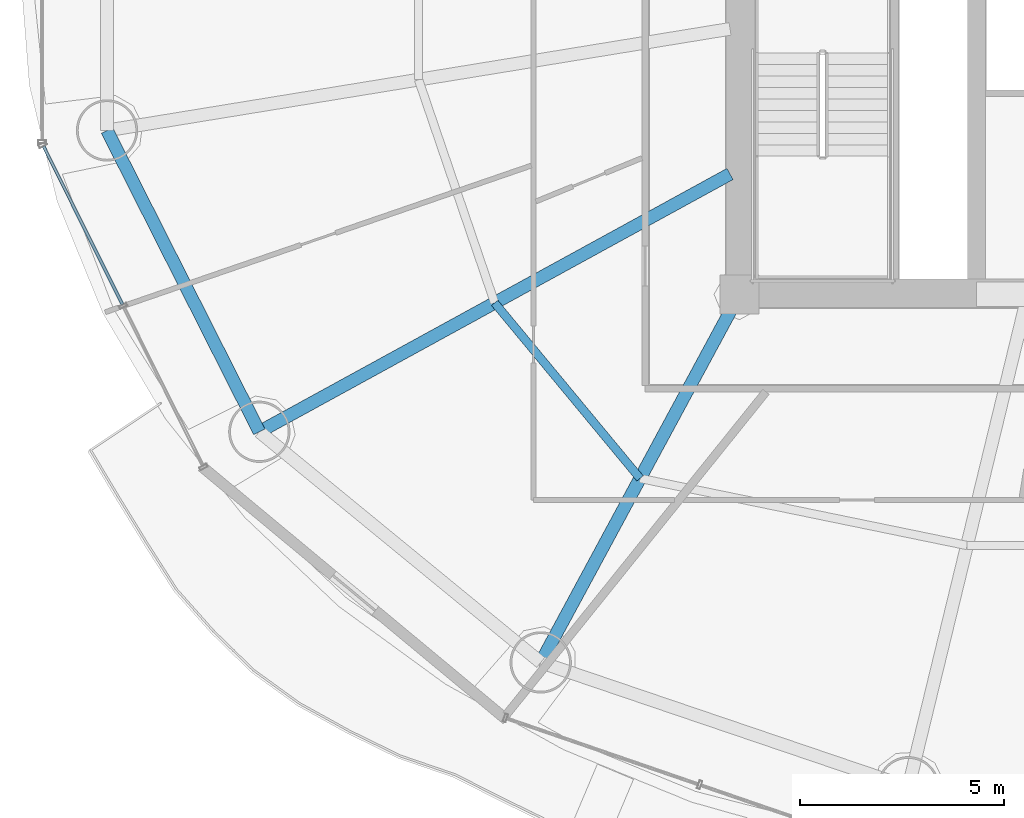
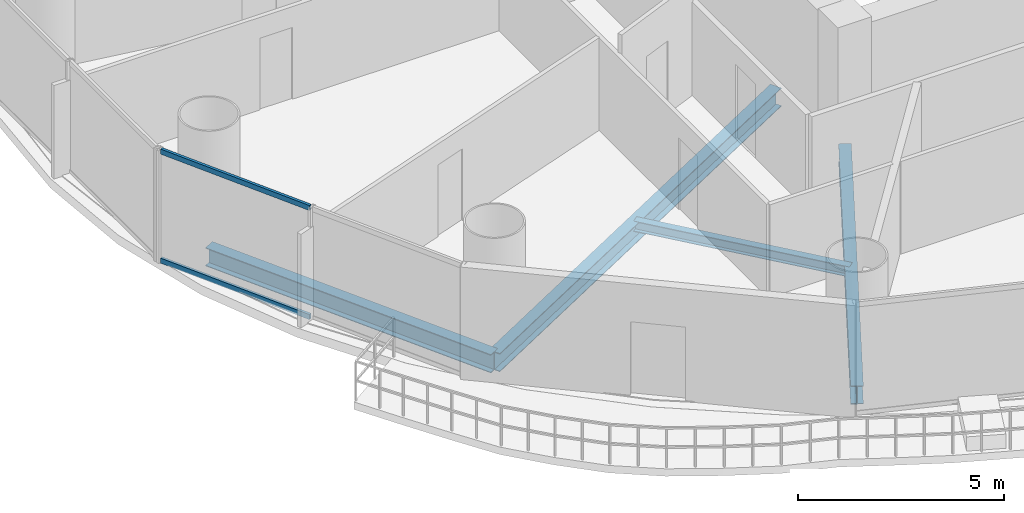
# One storey, part 3 of 29: 4 beams, 2 members, 1 element without a shape of its own.
"""IFC4 building model written with IfcOpenShell, lengths in metres."""

import ifcopenshell
import ifcopenshell.guid

model = None  # the IFC model being written
_history = None  # IfcOwnerHistory: only IFC2X3 demands one
_inside = {}  # id of a spatial element -> (the spatial element, [elements in it])
_under = {}  # id of a project, library or spatial element -> (it, [spatial elements below it])
_declared = {}  # id of a project -> (the project, [libraries it declares])
_typed = {}  # id of a type object -> (the type object, [elements of that type])
_made_of = {}  # id of a material, layer set ... -> (it, [elements and type objects made of it])


def new_model(schema):
    """Start an empty IFC model of exactly this schema.

    Asked for "IFC4X3", IfcOpenShell would pick the latest addendum, in which some entities
    have other attributes; the version numbers below select the first issue.
    IFC2X3 requires an IfcOwnerHistory on every rooted entity: one is made here for all.
    """
    global model, _history
    if schema == "IFC4X3":
        model = ifcopenshell.file(schema_version=(4, 3, 0, 0))
    else:
        model = ifcopenshell.file(schema=schema)
    _inside.clear()
    _under.clear()
    _declared.clear()
    _typed.clear()
    _made_of.clear()
    _history = None
    if model.schema == "IFC2X3":
        org = make("IfcOrganization", Name="unknown")
        user = make(
            "IfcPersonAndOrganization",
            ThePerson=make("IfcPerson", FamilyName="unknown"),
            TheOrganization=org,
        )
        app = make(
            "IfcApplication",
            ApplicationDeveloper=org,
            Version="unknown",
            ApplicationFullName="unknown",
            ApplicationIdentifier="unknown",
        )
        _history = make(
            "IfcOwnerHistory",
            OwningUser=user,
            OwningApplication=app,
            ChangeAction="ADDED",
            CreationDate=0,
        )
    return model


def make(cls, **values):
    """One entity of the class cls with the attributes given. An attribute that is None is left unset."""
    return model.create_entity(
        cls, **{name: value for name, value in values.items() if value is not None}
    )


def rooted(cls, **values):
    """An entity with a GlobalId (a new one), such as an element, a storey or a relation."""
    return make(cls, GlobalId=ifcopenshell.guid.new(), OwnerHistory=_history, **values)


def si_unit(unit_type, name, prefix=None):
    """IfcSIUnit, for example si_unit("LENGTHUNIT", "METRE", prefix="MILLI")."""
    return make("IfcSIUnit", UnitType=unit_type, Prefix=prefix, Name=name)


def assignment(units):
    """IfcUnitAssignment: the units of a project."""
    return None if units is None else make("IfcUnitAssignment", Units=units)


def point(xyz):
    """IfcCartesianPoint."""
    return None if xyz is None else make("IfcCartesianPoint", Coordinates=xyz)


def direction(xyz):
    """IfcDirection."""
    return None if xyz is None else make("IfcDirection", DirectionRatios=xyz)


def frame(location, z_axis=None, x_axis=None):
    """IfcAxis2Placement3D, a coordinate frame: its origin and axes. An axis left out is left unset."""
    return make(
        "IfcAxis2Placement3D",
        Location=point(location),
        Axis=direction(z_axis),
        RefDirection=direction(x_axis),
    )


def frame_2d(location, x_axis=None):
    """IfcAxis2Placement2D, a coordinate frame in the plane: its origin and x axis."""
    return make(
        "IfcAxis2Placement2D", Location=point(location), RefDirection=direction(x_axis)
    )


def origin():
    """The frame at (0, 0, 0) with its axes left unset."""
    return frame((0.0, 0.0, 0.0))


def origin_2d():
    """The frame at (0, 0) in the plane with its x axis left unset."""
    return frame_2d((0.0, 0.0))


def place(relative_to, where):
    """IfcLocalPlacement: puts the frame where relative to a parent placement (None: the world)."""
    return make(
        "IfcLocalPlacement", PlacementRelTo=relative_to, RelativePlacement=where
    )


def context(
    kind, dimensions, precision=None, world=None, true_north=None, identifier=None
):
    """IfcGeometricRepresentationContext, for example the 3D "Model" context."""
    return make(
        "IfcGeometricRepresentationContext",
        ContextIdentifier=identifier,
        ContextType=kind,
        CoordinateSpaceDimension=dimensions,
        Precision=precision,
        WorldCoordinateSystem=world,
        TrueNorth=true_north,
    )


def subcontext(parent, identifier, kind, view, scale=None):
    """IfcGeometricRepresentationSubContext, for example "Body" below "Model"."""
    return make(
        "IfcGeometricRepresentationSubContext",
        ContextIdentifier=identifier,
        ContextType=kind,
        ParentContext=parent,
        TargetScale=scale,
        TargetView=view,
    )


def project(units=None, contexts=None):
    """IfcProject with its units and contexts."""
    return rooted(
        "IfcProject",
        Name="project",
        RepresentationContexts=contexts,
        UnitsInContext=assignment(units),
    )


def spatial(cls, under=None, at=None, **own):
    """A site, building, storey or space (cls), placed at a placement, below another one or the project."""
    s = rooted(cls, ObjectPlacement=at, **own)
    if under is not None:
        _under.setdefault(under.id(), (under, []))[1].append(s)
    return s


def profile(cls, at=None, kind="AREA", **sizes):
    """A parametric profile (cls). Its sizes go by their IFC names, for example OverallWidth=200.0."""
    return make(cls, ProfileType=kind, Position=at, **sizes)


def hollow_rectangle(**sizes):
    """IfcRectangleHollowProfileDef."""
    return profile("IfcRectangleHollowProfileDef", **sizes)


def i_section(**sizes):
    """IfcIShapeProfileDef."""
    return profile("IfcIShapeProfileDef", **sizes)


def extrude(swept, where, along, depth):
    """IfcExtrudedAreaSolid: the profile swept, set in the frame where, extruded along a direction by depth."""
    return make(
        "IfcExtrudedAreaSolid",
        SweptArea=swept,
        Position=where,
        ExtrudedDirection=direction(along),
        Depth=depth,
    )


def shape(context_of_items, identifier, shape_type, items):
    """IfcShapeRepresentation: the items that make up one representation, for example the "Body"."""
    return make(
        "IfcShapeRepresentation",
        ContextOfItems=context_of_items,
        RepresentationIdentifier=identifier,
        RepresentationType=shape_type,
        Items=items,
    )


def source(mapping_origin, context_of_items, identifier, shape_type, items):
    """IfcRepresentationMap: a shape defined once, which mapped items show again and again."""
    return make(
        "IfcRepresentationMap",
        MappingOrigin=mapping_origin,
        MappedRepresentation=shape(context_of_items, identifier, shape_type, items),
    )


def transform(
    local_origin,
    x_axis=None,
    y_axis=None,
    z_axis=None,
    scale=None,
    scale2=None,
    scale3=None,
    uniform=True,
):
    """IfcCartesianTransformationOperator3D, or its non-uniform kind. x_axis, y_axis, z_axis: its Axis1, 2, 3."""
    if uniform:
        return make(
            "IfcCartesianTransformationOperator3D",
            Axis1=direction(x_axis),
            Axis2=direction(y_axis),
            LocalOrigin=point(local_origin),
            Scale=scale,
            Axis3=direction(z_axis),
        )
    return make(
        "IfcCartesianTransformationOperator3DnonUniform",
        Axis1=direction(x_axis),
        Axis2=direction(y_axis),
        LocalOrigin=point(local_origin),
        Scale=scale,
        Axis3=direction(z_axis),
        Scale2=scale2,
        Scale3=scale3,
    )


def mapped(mapping_source, mapping_target):
    """IfcMappedItem: shows the shape of a source again, moved by a transform."""
    return make(
        "IfcMappedItem", MappingSource=mapping_source, MappingTarget=mapping_target
    )


def material(Name=None, Category=None):
    """IfcMaterial."""
    return make("IfcMaterial", Name=Name, Category=Category)


def material_profile(
    of_material, cross_section, Name=None, Category=None, Priority=None
):
    """IfcMaterialProfile: a cross section and its material."""
    return make(
        "IfcMaterialProfile",
        Name=Name,
        Material=of_material,
        Profile=cross_section,
        Priority=Priority,
        Category=Category,
    )


def profile_set(profiles, Name=None, composite=None):
    """IfcMaterialProfileSet."""
    return make(
        "IfcMaterialProfileSet",
        Name=Name,
        MaterialProfiles=profiles,
        CompositeProfile=composite,
    )


def made_of(thing, what):
    """Note that an element or type object is made of a material, layer set ...; save() writes the relation."""
    if what is not None:
        _made_of.setdefault(what.id(), (what, []))[1].append(thing)
    return thing


def type_object(cls, material=None, **own):
    """A type object (cls), such as IfcWallType, which elements share."""
    return made_of(rooted(cls, **own), material)


def element(
    cls,
    number,
    at=None,
    inside=None,
    cuts=None,
    type_object=None,
    material=None,
    context=None,
    identifier="Body",
    shape_type=None,
    held_by="IfcProductDefinitionShape",
    body=None,
    shapes=None,
    **own,
):
    """One element of the class cls, such as IfcWall. Its Tag is "e" and its number.

    at: its placement. inside: the storey or other place that contains it. cuts: it is an
    opening in that element (IfcRelVoidsElement). A single representation is given by context,
    identifier, shape_type and body (its items); several are given by shapes. held_by: the class
    of the entity that holds the representations. save() writes the other relations.
    """
    e = rooted(cls, Tag="e%d" % number, ObjectPlacement=at, **own)
    if body is not None:
        shapes = [shape(context, identifier, shape_type, body)]
    if shapes is not None:
        e.Representation = make(held_by, Representations=shapes)
    if inside is not None:
        _inside.setdefault(inside.id(), (inside, []))[1].append(e)
    if cuts is not None:
        rooted(
            "IfcRelVoidsElement", RelatingBuildingElement=cuts, RelatedOpeningElement=e
        )
    if type_object is not None:
        _typed.setdefault(type_object.id(), (type_object, []))[1].append(e)
    return made_of(e, material)


def aggregate(whole, parts):
    """IfcRelAggregates: a whole, such as a stair, and the parts it consists of."""
    return rooted("IfcRelAggregates", RelatingObject=whole, RelatedObjects=parts)


def save(model, path):
    """Write the relations noted so far, then the file.

    IfcRelAggregates (storeys below a building ...), IfcRelContainedInSpatialStructure (elements
    in a storey), IfcRelDefinesByType, IfcRelAssociatesMaterial and IfcRelDeclares: one each for
    every whole, place, type object, material and project.
    """
    for whole, parts in _under.values():
        aggregate(whole, parts)
    for where, things in _inside.values():
        rooted(
            "IfcRelContainedInSpatialStructure",
            RelatedElements=things,
            RelatingStructure=where,
        )
    for kind, things in _typed.values():
        rooted("IfcRelDefinesByType", RelatedObjects=things, RelatingType=kind)
    for what, things in _made_of.values():
        rooted("IfcRelAssociatesMaterial", RelatedObjects=things, RelatingMaterial=what)
    for by, libraries in _declared.values():
        rooted("IfcRelDeclares", RelatingContext=by, RelatedDefinitions=libraries)
    model.write(path)


model = new_model("IFC4")

# Units and contexts
model_context = context("Model", 3, precision=1e-05, world=origin(), true_north=direction((-0.2419218956, 0.970295726276)))
body_context = subcontext(model_context, "Body", "Model", "MODEL_VIEW")
ifc_project = project(units=[si_unit("LENGTHUNIT", "METRE"), si_unit("AREAUNIT", "SQUARE_METRE"), si_unit("VOLUMEUNIT", "CUBIC_METRE"), si_unit("PLANEANGLEUNIT", "RADIAN"), si_unit("MASSUNIT", "GRAM", prefix="KILO")], contexts=[model_context])

# Site, building, storey
site_placement = place(None, origin())
site = spatial("IfcSite", under=ifc_project, at=site_placement, CompositionType="ELEMENT")
building_placement = place(site_placement, origin())
building = spatial("IfcBuilding", under=site, at=building_placement, Name="Cobrevalo Terracotta Tower", CompositionType="ELEMENT")
storey_placement = place(building_placement, frame((0.0, 0.0, 115.800048828125)))
storey = spatial("IfcBuildingStorey", under=building, at=storey_placement, Name="L30", CompositionType="ELEMENT", Elevation=115.800048828125)

# Beams
ifc_material_1 = material(Name="Steel S355", Category="steel")
ifc_material_profile_1 = material_profile(ifc_material_1, i_section(OverallWidth=0.31201171875, OverallDepth=0.54296875, WebThickness=0.0126953125, FlangeThickness=0.020263671875, at=origin_2d()), Name="W 530x150")
ifc_profile_set_1 = profile_set([ifc_material_profile_1], Name="Steel S355")
beam_type_1 = type_object("IfcBeamType", Name="Structural Beam W 530x150 (Steel S355)", PredefinedType="BEAM", material=ifc_profile_set_1)
beam_1_placement = place(storey_placement, frame((17.2548828125, 15.4384765625, -0.546630859375), z_axis=(0.877072765004, 0.480357538599, 0.0), x_axis=(-0.480357538599, 0.877072765004, 0.0)))
element("IfcBeam", 1, at=beam_1_placement, inside=storey, type_object=beam_type_1, Name="L30 radial floor girder 10", PredefinedType="BEAM", context=body_context, shape_type="SweptSolid", body=[
    extrude(i_section(OverallWidth=0.31201171875, OverallDepth=0.54296875, WebThickness=0.0126953125, FlangeThickness=0.020263671875, at=origin_2d()), origin(), (0.0, 0.0, 1.0), 13.129150390625),
])
beam_2_placement = place(storey_placement, frame((24.138427734375, 9.79638671875, -0.546630859375), z_axis=(0.475118249298, 0.879921956303, 0.0), x_axis=(-0.879921956303, 0.475118249298, 0.0)))
element("IfcBeam", 2, at=beam_2_placement, inside=storey, type_object=beam_type_1, Name="L30 radial floor girder 11", PredefinedType="BEAM", context=body_context, shape_type="SweptSolid", body=[
    extrude(i_section(OverallWidth=0.31201171875, OverallDepth=0.54296875, WebThickness=0.0126953125, FlangeThickness=0.020263671875, at=origin_2d()), origin(), (0.0, 0.0, 1.0), 10.232421875),
])
ifc_material_profile_2 = material_profile(ifc_material_1, i_section(OverallWidth=0.2041015625, OverallDepth=0.305908203125, WebThickness=0.008544921875, FlangeThickness=0.0146484375, at=origin_2d()), Name="W 310x67")
ifc_profile_set_2 = profile_set([ifc_material_profile_2], Name="Steel S355")
beam_type_2 = type_object("IfcBeamType", Name="Structural Joist W 310x67 (Steel S355)", PredefinedType="JOIST", material=ifc_profile_set_2)
beam_3_placement = place(storey_placement, frame((23.012451171875, 18.591796875, -0.427978515625), z_axis=(0.6379592588, -0.77007011636, 0.0), x_axis=(0.77007011636, 0.6379592588, 0.0)))
element("IfcBeam", 3, at=beam_3_placement, inside=storey, type_object=beam_type_2, Name="L30 circumferential secondary floor joist 10", PredefinedType="JOIST", context=body_context, shape_type="SweptSolid", body=[
    extrude(i_section(OverallWidth=0.2041015625, OverallDepth=0.305908203125, WebThickness=0.008544921875, FlangeThickness=0.0146484375, at=origin_2d()), origin(), (0.0, 0.0, 1.0), 5.575439453125),
])
ifc_material_profile_3 = material_profile(ifc_material_1, i_section(OverallWidth=0.31201171875, OverallDepth=0.54296875, WebThickness=0.0126953125, FlangeThickness=0.020263671875, at=origin_2d()), Name="W 530x150")
ifc_profile_set_3 = profile_set([ifc_material_profile_3], Name="Steel S355")
beam_type_3 = type_object("IfcBeamType", Name="Structural Spandrel W 530x150 (Steel S355)", PredefinedType="SPANDREL", material=ifc_profile_set_3)
beam_4_placement = place(storey_placement, frame((13.529296875, 22.810302734375, -0.546630859375), z_axis=(0.451051982172, -0.892497680321, 0.0), x_axis=(0.892497680321, 0.451051982172, 0.0)))
element("IfcBeam", 4, at=beam_4_placement, inside=storey, type_object=beam_type_3, Name="L30 perimeter ring spandrel 09", PredefinedType="SPANDREL", context=body_context, shape_type="SweptSolid", body=[
    extrude(i_section(OverallWidth=0.31201171875, OverallDepth=0.54296875, WebThickness=0.0126953125, FlangeThickness=0.020263671875, at=origin_2d()), origin(), (0.0, 0.0, 1.0), 8.259765625),
])

# Curtain wall, members
ifc_material_2 = material(Name="Anodized aluminium", Category="aluminium")
curtain_wall_type = type_object("IfcCurtainWallType", Name="Lower-tower unitised acoustic low-E curtain wall CW-U1", PredefinedType="NOTDEFINED", material=ifc_material_2)
curtain_wall_placement = place(storey_placement, origin())
curtain_wall = element("IfcCurtainWall", 5, at=curtain_wall_placement, inside=storey, type_object=curtain_wall_type, Name="L30 curtain wall CW-L30-S09", PredefinedType="NOTDEFINED")
ifc_material_profile_4 = material_profile(ifc_material_2, hollow_rectangle(XDim=0.074951171875, YDim=0.14990234375, WallThickness=0.00439453125, at=origin_2d()), Name="CWT 75x150")
ifc_profile_set_4 = profile_set([ifc_material_profile_4], Name="Anodized aluminium")
member_type = type_object("IfcMemberType", Name="Tower unitised aluminium transom 75x150", PredefinedType="USERDEFINED", material=ifc_profile_set_4)
shared_shape = source(origin(), body_context, "Body", "SweptSolid", [
    extrude(hollow_rectangle(XDim=0.074951171875, YDim=0.14990234375, WallThickness=0.00439453125, at=origin_2d()), origin(), (0.0, 0.0, 1.0), 4.324951171875),
])
member_1_placement = place(storey_placement, frame((11.976318359375, 22.4228515625, 0.050048828125), z_axis=(0.446219838389, -0.894923379864, 0.0), x_axis=(0.894923379864, 0.446219838389, 0.0)))
member_1 = element("IfcMember", 6, at=member_1_placement, type_object=member_type, Name="CW-L30-S09 transom B01-T1", ObjectType="TRANSOM", PredefinedType="USERDEFINED", context=body_context, shape_type="MappedRepresentation", body=[
    mapped(shared_shape, transform((0.0, 0.0, 0.0), scale=1.0)),
])
member_2_placement = place(storey_placement, frame((11.976318359375, 22.4228515625, 3.27490234375), z_axis=(0.446219838389, -0.894923379864, 0.0), x_axis=(0.894923379864, 0.446219838389, 0.0)))
member_2 = element("IfcMember", 7, at=member_2_placement, type_object=member_type, Name="CW-L30-S09 transom B01-T2", ObjectType="TRANSOM", PredefinedType="USERDEFINED", context=body_context, shape_type="MappedRepresentation", body=[
    mapped(shared_shape, transform((0.0, 0.0, 0.0), scale=1.0)),
])
aggregate(curtain_wall, [member_1, member_2])

save(model, "model.ifc")
